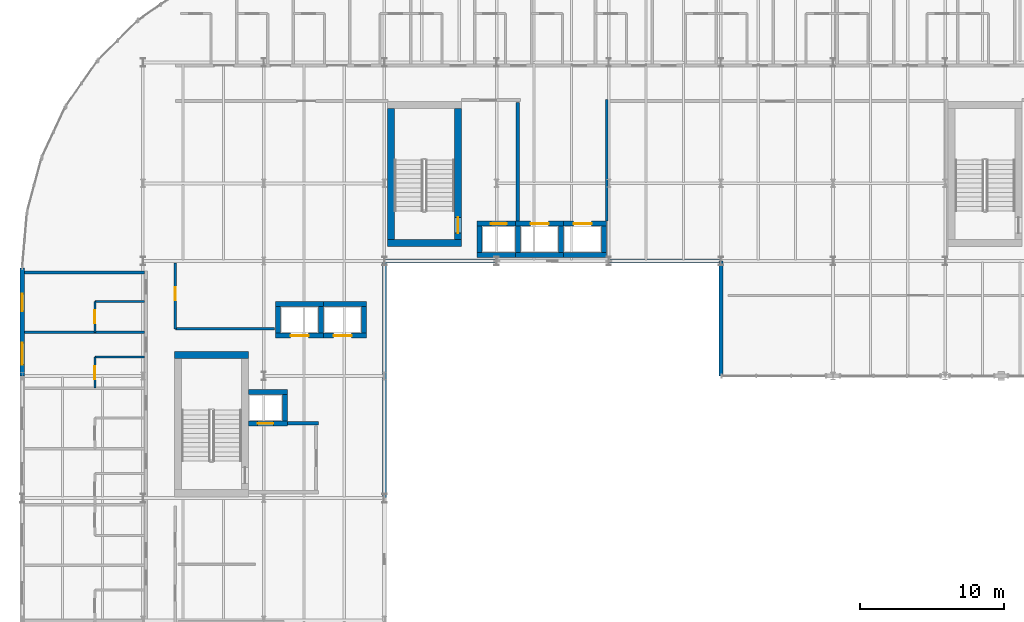
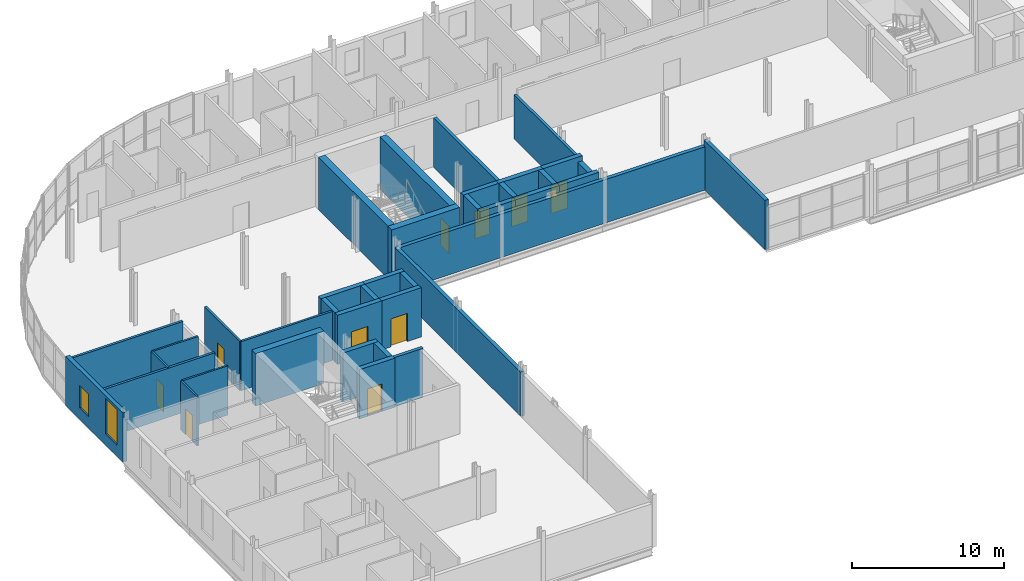
# One storey, part 32 of 45: 39 walls, 10 doors, 2 windows, 12 openings.
"""IFC4 building model written with IfcOpenShell, lengths in metres."""

from ifc_helpers import new_model, si_unit, direction, frame, frame_2d, origin, place, context, subcontext, project, spatial, rectangle, extrude, material, layer, layer_set, type_object, element, fill, save


model = new_model("IFC4")

# Units and contexts
model_context = context("Model", 3, precision=1e-05, world=origin(), true_north=direction((0.0, 1.0)))
body_context = subcontext(model_context, "Body", "Model", "MODEL_VIEW")
ifc_project = project(units=[si_unit("LENGTHUNIT", "METRE"), si_unit("AREAUNIT", "SQUARE_METRE"), si_unit("VOLUMEUNIT", "CUBIC_METRE"), si_unit("PLANEANGLEUNIT", "RADIAN"), si_unit("MASSUNIT", "GRAM", prefix="KILO")], contexts=[model_context])

# Site, building, storey
site_placement = place(None, origin())
site = spatial("IfcSite", under=ifc_project, at=site_placement, CompositionType="ELEMENT")
building_placement = place(site_placement, origin())
building = spatial("IfcBuilding", under=site, at=building_placement, Name="Sefraquen Railside Congress Hotel", CompositionType="ELEMENT")
storey_placement = place(building_placement, frame((0.0, 0.0, 20.39990234375)))
storey = spatial("IfcBuildingStorey", under=building, at=storey_placement, Name="L04", CompositionType="ELEMENT", Elevation=20.39990234375)

# Wall
ifc_material_1 = material(Name="Concrete C50/60", Category="concrete")
ifc_layer_1 = layer(ifc_material_1, 0.35009765625)
ifc_layer_set_1 = layer_set([ifc_layer_1], Name="Concrete C50/60")
wall_type_1 = type_object("IfcWallType", Name="TW-CW-350", PredefinedType="SHEAR", material=ifc_layer_set_1)
wall_1_placement = place(storey_placement, frame((15.760009765625, 86.89501953125, 0.0), z_axis=(0.0, 0.0, 1.0), x_axis=(1.0, 0.0, 0.0)))
element("IfcWall", 1, at=wall_1_placement, inside=storey, type_object=wall_type_1, Name="Lift FL-01 shaft wall N L04", PredefinedType="SHEAR", context=body_context, shape_type="SweptSolid", body=[
    extrude(rectangle(XDim=2.68994140625, YDim=0.35009765625, at=frame_2d((1.344970703125, 0.0))), origin(), (0.0, 0.0, 1.0), 3.940185546875),
])

# Wall, opening, door
wall_2_placement = place(storey_placement, frame((15.760009765625, 84.705078125, 0.0), z_axis=(0.0, 0.0, 1.0), x_axis=(1.0, 0.0, 0.0)))
wall_2 = element("IfcWall", 2, at=wall_2_placement, inside=storey, type_object=wall_type_1, Name="Lift FL-01 shaft wall S L04", PredefinedType="SHEAR", context=body_context, shape_type="SweptSolid", body=[
    extrude(rectangle(XDim=2.68994140625, YDim=0.35009765625, at=frame_2d((1.344970703125, 0.0))), origin(), (0.0, 0.0, 1.0), 3.940185546875),
])
opening_1_placement = place(wall_2_placement, frame((0.6201171875, 0.0, 0.0)))
opening_1 = element("IfcOpeningElement", 3, at=opening_1_placement, cuts=wall_2, Name="Opening LD-01", PredefinedType="OPENING", context=body_context, shape_type="SweptSolid", body=[
    extrude(rectangle(XDim=1.10009765625, YDim=2.199951171875, at=frame_2d((0.550048828125, 1.10009765625))), frame((0.0, 0.18505859375, 0.0), z_axis=(0.0, -1.0, 0.0), x_axis=(1.0, 0.0, 0.0)), (0.0, 0.0, 1.0), 0.3701171875),
])
ifc_material_2 = material(Name="Brushed bronze stainless steel", Category="steel")
door_type_1 = type_object("IfcDoorType", Name="TD-LD-01", OperationType="NOTDEFINED", PredefinedType="DOOR", material=ifc_material_2)
door_1_placement = place(opening_1_placement, origin())
door_1 = element("IfcDoor", 4, at=door_1_placement, inside=storey, type_object=door_type_1, Name="Lift landing door FL-01 L04", OperationType="SLIDING_TO_LEFT", OverallHeight=2.199951171875, OverallWidth=1.10009765625, PredefinedType="DOOR", context=body_context, shape_type="SweptSolid", body=[
    extrude(rectangle(XDim=1.10009765625, YDim=2.199951171875, at=frame_2d((0.550048828125, 1.10009765625))), frame((0.0, 0.02490234375, 0.0), z_axis=(0.0, -1.0, 0.0), x_axis=(1.0, 0.0, 0.0)), (0.0, 0.0, 1.0), 0.050048828125),
])
fill(opening_1, door_1)

# Wall
wall_3_placement = place(storey_placement, frame((18.27490234375, 84.8798828125, 0.0), z_axis=(0.0, 0.0, 1.0), x_axis=(0.0, 1.0, 0.0)))
element("IfcWall", 5, at=wall_3_placement, inside=storey, type_object=wall_type_1, Name="Lift FL-01 shaft wall E L04", PredefinedType="SHEAR", context=body_context, shape_type="SweptSolid", body=[
    extrude(rectangle(XDim=1.840087890625, YDim=0.35009765625, at=frame_2d((0.919921875, 0.0))), origin(), (0.0, 0.0, 1.0), 3.940185546875),
])

# Wall, opening, door
wall_4_placement = place(storey_placement, frame((31.639892578125, 98.594970703125, 0.0), z_axis=(0.0, 0.0, 1.0), x_axis=(1.0, 0.0, 0.0)))
wall_4 = element("IfcWall", 6, at=wall_4_placement, inside=storey, type_object=wall_type_1, Name="Lift FL-02 shaft wall N L04", PredefinedType="SHEAR", context=body_context, shape_type="SweptSolid", body=[
    extrude(rectangle(XDim=2.690185546875, YDim=0.35009765625, at=frame_2d((1.34521484375, 0.0))), origin(), (0.0, 0.0, 1.0), 3.940185546875),
])
opening_2_placement = place(wall_4_placement, frame((0.969970703125, 0.0, 0.0)))
opening_2 = element("IfcOpeningElement", 7, at=opening_2_placement, cuts=wall_4, Name="Opening LD-01", PredefinedType="OPENING", context=body_context, shape_type="SweptSolid", body=[
    extrude(rectangle(XDim=1.10009765625, YDim=2.199951171875, at=frame_2d((0.550048828125, 1.10009765625))), frame((0.0, 0.18505859375, 0.0), z_axis=(0.0, -1.0, 0.0), x_axis=(1.0, 0.0, 0.0)), (0.0, 0.0, 1.0), 0.3701171875),
])
door_2_placement = place(opening_2_placement, origin())
door_2 = element("IfcDoor", 8, at=door_2_placement, inside=storey, type_object=door_type_1, Name="Lift landing door FL-02 L04", OperationType="SLIDING_TO_LEFT", OverallHeight=2.199951171875, OverallWidth=1.10009765625, PredefinedType="DOOR", context=body_context, shape_type="SweptSolid", body=[
    extrude(rectangle(XDim=1.10009765625, YDim=2.199951171875, at=frame_2d((0.550048828125, 1.10009765625))), frame((0.0, 0.02490234375, 0.0), z_axis=(0.0, -1.0, 0.0), x_axis=(1.0, 0.0, 0.0)), (0.0, 0.0, 1.0), 0.050048828125),
])
fill(opening_2, door_2)

# Walls
wall_5_placement = place(storey_placement, frame((31.639892578125, 96.405029296875, 0.0), z_axis=(0.0, 0.0, 1.0), x_axis=(1.0, 0.0, 0.0)))
element("IfcWall", 9, at=wall_5_placement, inside=storey, type_object=wall_type_1, Name="Lift FL-02 shaft wall S L04", PredefinedType="SHEAR", context=body_context, shape_type="SweptSolid", body=[
    extrude(rectangle(XDim=2.690185546875, YDim=0.35009765625, at=frame_2d((1.34521484375, 0.0))), origin(), (0.0, 0.0, 1.0), 3.940185546875),
])
wall_6_placement = place(storey_placement, frame((31.81494140625, 96.580078125, 0.0), z_axis=(0.0, 0.0, 1.0), x_axis=(0.0, 1.0, 0.0)))
element("IfcWall", 10, at=wall_6_placement, inside=storey, type_object=wall_type_1, Name="Lift FL-02 shaft wall W L04", PredefinedType="SHEAR", context=body_context, shape_type="SweptSolid", body=[
    extrude(rectangle(XDim=1.83984375, YDim=0.35009765625, at=frame_2d((0.919921875, 0.0))), origin(), (0.0, 0.0, 1.0), 3.940185546875),
])
wall_7_placement = place(storey_placement, frame((17.6298828125, 92.9951171875, 0.0), z_axis=(0.0, 0.0, 1.0), x_axis=(1.0, 0.0, 0.0)))
element("IfcWall", 11, at=wall_7_placement, inside=storey, type_object=wall_type_1, Name="Lift PL-01 shaft wall N L04", PredefinedType="SHEAR", context=body_context, shape_type="SweptSolid", body=[
    extrude(rectangle(XDim=3.340087890625, YDim=0.35009765625, at=frame_2d((1.669921875, 0.0))), origin(), (0.0, 0.0, 1.0), 3.940185546875),
])

# Wall, opening, door
wall_8_placement = place(storey_placement, frame((17.6298828125, 90.804931640625, 0.0), z_axis=(0.0, 0.0, 1.0), x_axis=(1.0, 0.0, 0.0)))
wall_8 = element("IfcWall", 12, at=wall_8_placement, inside=storey, type_object=wall_type_1, Name="Lift PL-01 shaft wall S L04", PredefinedType="SHEAR", context=body_context, shape_type="SweptSolid", body=[
    extrude(rectangle(XDim=3.340087890625, YDim=0.35009765625, at=frame_2d((1.669921875, 0.0))), origin(), (0.0, 0.0, 1.0), 3.940185546875),
])
opening_3_placement = place(wall_8_placement, frame((1.044921875, 0.0, 0.0)))
opening_3 = element("IfcOpeningElement", 13, at=opening_3_placement, cuts=wall_8, Name="Opening LD-02", PredefinedType="OPENING", context=body_context, shape_type="SweptSolid", body=[
    extrude(rectangle(XDim=1.25, YDim=2.25, at=frame_2d((0.625, 1.125))), frame((0.0, 0.18505859375, 0.0), z_axis=(0.0, -1.0, 0.0), x_axis=(1.0, 0.0, 0.0)), (0.0, 0.0, 1.0), 0.3701171875),
])
ifc_material_3 = material(Name="Brushed stainless steel", Category="steel")
door_type_2 = type_object("IfcDoorType", Name="TD-LD-02", OperationType="NOTDEFINED", PredefinedType="DOOR", material=ifc_material_3)
door_3_placement = place(opening_3_placement, origin())
door_3 = element("IfcDoor", 14, at=door_3_placement, inside=storey, type_object=door_type_2, Name="Lift landing door PL-01 L04", OperationType="SLIDING_TO_LEFT", OverallHeight=2.25, OverallWidth=1.25, PredefinedType="DOOR", context=body_context, shape_type="SweptSolid", body=[
    extrude(rectangle(XDim=1.25, YDim=2.25, at=frame_2d((0.625, 1.125))), frame((0.0, 0.02490234375, 0.0), z_axis=(0.0, -1.0, 0.0), x_axis=(1.0, 0.0, 0.0)), (0.0, 0.0, 1.0), 0.050048828125),
])
fill(opening_3, door_3)

# Walls
for number, where, z_axis, x_axis, name in (
    (15, (17.804931640625, 90.97998046875, 0.0), (0.0, 0.0, 1.0), (0.0, 1.0, 0.0), "Lift PL-01 shaft wall W L04"),
    (16, (20.794921875, 90.97998046875, 0.0), (0.0, 0.0, 1.0), (0.0, 1.0, 0.0), "Lift PL-01 shaft wall E L04"),
):
    element("IfcWall", number, at=place(storey_placement, frame(where, z_axis=z_axis, x_axis=x_axis)), inside=storey, type_object=wall_type_1, Name=name, PredefinedType="SHEAR", context=body_context, shape_type="SweptSolid", body=[
        extrude(rectangle(XDim=1.840087890625, YDim=0.35009765625, at=frame_2d((0.919921875, 0.0))), origin(), (0.0, 0.0, 1.0), 3.940185546875),
    ])
wall_9_placement = place(storey_placement, frame((20.969970703125, 92.9951171875, 0.0), z_axis=(0.0, 0.0, 1.0), x_axis=(1.0, 0.0, 0.0)))
element("IfcWall", 17, at=wall_9_placement, inside=storey, type_object=wall_type_1, Name="Lift PL-02 shaft wall N L04", PredefinedType="SHEAR", context=body_context, shape_type="SweptSolid", body=[
    extrude(rectangle(XDim=2.989990234375, YDim=0.35009765625, at=frame_2d((1.4951171875, 0.0))), origin(), (0.0, 0.0, 1.0), 3.940185546875),
])

# Wall, opening, door
wall_10_placement = place(storey_placement, frame((20.969970703125, 90.804931640625, 0.0), z_axis=(0.0, 0.0, 1.0), x_axis=(1.0, 0.0, 0.0)))
wall_10 = element("IfcWall", 18, at=wall_10_placement, inside=storey, type_object=wall_type_1, Name="Lift PL-02 shaft wall S L04", PredefinedType="SHEAR", context=body_context, shape_type="SweptSolid", body=[
    extrude(rectangle(XDim=2.989990234375, YDim=0.35009765625, at=frame_2d((1.4951171875, 0.0))), origin(), (0.0, 0.0, 1.0), 3.940185546875),
])
opening_4_placement = place(wall_10_placement, frame((0.695068359375, 0.0, 0.0)))
opening_4 = element("IfcOpeningElement", 19, at=opening_4_placement, cuts=wall_10, Name="Opening LD-02", PredefinedType="OPENING", context=body_context, shape_type="SweptSolid", body=[
    extrude(rectangle(XDim=1.25, YDim=2.25, at=frame_2d((0.625, 1.125))), frame((0.0, 0.18505859375, 0.0), z_axis=(0.0, -1.0, 0.0), x_axis=(1.0, 0.0, 0.0)), (0.0, 0.0, 1.0), 0.3701171875),
])
door_4_placement = place(opening_4_placement, origin())
door_4 = element("IfcDoor", 20, at=door_4_placement, inside=storey, type_object=door_type_2, Name="Lift landing door PL-02 L04", OperationType="SLIDING_TO_LEFT", OverallHeight=2.25, OverallWidth=1.25, PredefinedType="DOOR", context=body_context, shape_type="SweptSolid", body=[
    extrude(rectangle(XDim=1.25, YDim=2.25, at=frame_2d((0.625, 1.125))), frame((0.0, 0.02490234375, 0.0), z_axis=(0.0, -1.0, 0.0), x_axis=(1.0, 0.0, 0.0)), (0.0, 0.0, 1.0), 0.050048828125),
])
fill(opening_4, door_4)

# Wall
wall_11_placement = place(storey_placement, frame((23.784912109375, 90.97998046875, 0.0), z_axis=(0.0, 0.0, 1.0), x_axis=(0.0, 1.0, 0.0)))
element("IfcWall", 21, at=wall_11_placement, inside=storey, type_object=wall_type_1, Name="Lift PL-02 shaft wall E L04", PredefinedType="SHEAR", context=body_context, shape_type="SweptSolid", body=[
    extrude(rectangle(XDim=1.840087890625, YDim=0.35009765625, at=frame_2d((0.919921875, 0.0))), origin(), (0.0, 0.0, 1.0), 3.940185546875),
])

# Wall, opening, door
wall_12_placement = place(storey_placement, frame((34.330078125, 98.594970703125, 0.0), z_axis=(0.0, 0.0, 1.0), x_axis=(1.0, 0.0, 0.0)))
wall_12 = element("IfcWall", 22, at=wall_12_placement, inside=storey, type_object=wall_type_1, Name="Lift PL-03 shaft wall N L04", PredefinedType="SHEAR", context=body_context, shape_type="SweptSolid", body=[
    extrude(rectangle(XDim=3.33984375, YDim=0.35009765625, at=frame_2d((1.669921875, 0.0))), origin(), (0.0, 0.0, 1.0), 3.940185546875),
])
opening_5_placement = place(wall_12_placement, frame((1.044921875, 0.0, 0.0)))
opening_5 = element("IfcOpeningElement", 23, at=opening_5_placement, cuts=wall_12, Name="Opening LD-02", PredefinedType="OPENING", context=body_context, shape_type="SweptSolid", body=[
    extrude(rectangle(XDim=1.25, YDim=2.25, at=frame_2d((0.625, 1.125))), frame((0.0, 0.18505859375, 0.0), z_axis=(0.0, -1.0, 0.0), x_axis=(1.0, 0.0, 0.0)), (0.0, 0.0, 1.0), 0.3701171875),
])
door_5_placement = place(opening_5_placement, origin())
door_5 = element("IfcDoor", 24, at=door_5_placement, inside=storey, type_object=door_type_2, Name="Lift landing door PL-03 L04", OperationType="SLIDING_TO_LEFT", OverallHeight=2.25, OverallWidth=1.25, PredefinedType="DOOR", context=body_context, shape_type="SweptSolid", body=[
    extrude(rectangle(XDim=1.25, YDim=2.25, at=frame_2d((0.625, 1.125))), frame((0.0, 0.02490234375, 0.0), z_axis=(0.0, -1.0, 0.0), x_axis=(1.0, 0.0, 0.0)), (0.0, 0.0, 1.0), 0.050048828125),
])
fill(opening_5, door_5)

# Walls
wall_13_placement = place(storey_placement, frame((34.330078125, 96.405029296875, 0.0), z_axis=(0.0, 0.0, 1.0), x_axis=(1.0, 0.0, 0.0)))
element("IfcWall", 25, at=wall_13_placement, inside=storey, type_object=wall_type_1, Name="Lift PL-03 shaft wall S L04", PredefinedType="SHEAR", context=body_context, shape_type="SweptSolid", body=[
    extrude(rectangle(XDim=3.33984375, YDim=0.35009765625, at=frame_2d((1.669921875, 0.0))), origin(), (0.0, 0.0, 1.0), 3.940185546875),
])
for number, where, z_axis, x_axis, name in (
    (26, (34.5048828125, 96.580078125, 0.0), (0.0, 0.0, 1.0), (0.0, 1.0, 0.0), "Lift PL-03 shaft wall W L04"),
    (27, (37.4951171875, 96.580078125, 0.0), (0.0, 0.0, 1.0), (0.0, 1.0, 0.0), "Lift PL-03 shaft wall E L04"),
):
    element("IfcWall", number, at=place(storey_placement, frame(where, z_axis=z_axis, x_axis=x_axis)), inside=storey, type_object=wall_type_1, Name=name, PredefinedType="SHEAR", context=body_context, shape_type="SweptSolid", body=[
        extrude(rectangle(XDim=1.83984375, YDim=0.35009765625, at=frame_2d((0.919921875, 0.0))), origin(), (0.0, 0.0, 1.0), 3.940185546875),
    ])

# Wall, opening, door
wall_14_placement = place(storey_placement, frame((37.669921875, 98.594970703125, 0.0), z_axis=(0.0, 0.0, 1.0), x_axis=(1.0, 0.0, 0.0)))
wall_14 = element("IfcWall", 28, at=wall_14_placement, inside=storey, type_object=wall_type_1, Name="Lift PL-04 shaft wall N L04", PredefinedType="SHEAR", context=body_context, shape_type="SweptSolid", body=[
    extrude(rectangle(XDim=2.989990234375, YDim=0.35009765625, at=frame_2d((1.4951171875, 0.0))), origin(), (0.0, 0.0, 1.0), 3.940185546875),
])
opening_6_placement = place(wall_14_placement, frame((0.695068359375, 0.0, 0.0)))
opening_6 = element("IfcOpeningElement", 29, at=opening_6_placement, cuts=wall_14, Name="Opening LD-02", PredefinedType="OPENING", context=body_context, shape_type="SweptSolid", body=[
    extrude(rectangle(XDim=1.25, YDim=2.25, at=frame_2d((0.625, 1.125))), frame((0.0, 0.18505859375, 0.0), z_axis=(0.0, -1.0, 0.0), x_axis=(1.0, 0.0, 0.0)), (0.0, 0.0, 1.0), 0.3701171875),
])
door_6_placement = place(opening_6_placement, origin())
door_6 = element("IfcDoor", 30, at=door_6_placement, inside=storey, type_object=door_type_2, Name="Lift landing door PL-04 L04", OperationType="SLIDING_TO_LEFT", OverallHeight=2.25, OverallWidth=1.25, PredefinedType="DOOR", context=body_context, shape_type="SweptSolid", body=[
    extrude(rectangle(XDim=1.25, YDim=2.25, at=frame_2d((0.625, 1.125))), frame((0.0, 0.02490234375, 0.0), z_axis=(0.0, -1.0, 0.0), x_axis=(1.0, 0.0, 0.0)), (0.0, 0.0, 1.0), 0.050048828125),
])
fill(opening_6, door_6)

# Walls
wall_15_placement = place(storey_placement, frame((37.669921875, 96.405029296875, 0.0), z_axis=(0.0, 0.0, 1.0), x_axis=(1.0, 0.0, 0.0)))
element("IfcWall", 31, at=wall_15_placement, inside=storey, type_object=wall_type_1, Name="Lift PL-04 shaft wall S L04", PredefinedType="SHEAR", context=body_context, shape_type="SweptSolid", body=[
    extrude(rectangle(XDim=2.989990234375, YDim=0.35009765625, at=frame_2d((1.4951171875, 0.0))), origin(), (0.0, 0.0, 1.0), 3.940185546875),
])
wall_16_placement = place(storey_placement, frame((40.485107421875, 96.580078125, 0.0), z_axis=(0.0, 0.0, 1.0), x_axis=(0.0, 1.0, 0.0)))
element("IfcWall", 32, at=wall_16_placement, inside=storey, type_object=wall_type_1, Name="Lift PL-04 shaft wall E L04", PredefinedType="SHEAR", context=body_context, shape_type="SweptSolid", body=[
    extrude(rectangle(XDim=1.83984375, YDim=0.35009765625, at=frame_2d((0.919921875, 0.0))), origin(), (0.0, 0.0, 1.0), 3.530029296875),
])
ifc_layer_2 = layer(ifc_material_1, 0.5)
ifc_layer_set_2 = layer_set([ifc_layer_2], Name="Concrete C50/60")
wall_type_2 = type_object("IfcWallType", Name="TW-CW-500", PredefinedType="SHEAR", material=ifc_layer_set_2)
wall_17_placement = place(storey_placement, frame((10.60009765625, 89.4619140625, 0.0), z_axis=(0.0, 0.0, 1.0), x_axis=(1.0, 0.0, 0.0)))
element("IfcWall", 33, at=wall_17_placement, inside=storey, type_object=wall_type_2, Name="Core shear wall ST-H01 N L04", PredefinedType="SHEAR", context=body_context, shape_type="SweptSolid", body=[
    extrude(rectangle(XDim=5.159912109375, YDim=0.5, at=frame_2d((2.580078125, 0.0))), origin(), (0.0, 0.0, 1.0), 4.2001953125),
])
wall_18_placement = place(storey_placement, frame((25.39990234375, 97.25, 0.0), z_axis=(0.0, 0.0, 1.0), x_axis=(1.0, 0.0, 0.0)))
element("IfcWall", 34, at=wall_18_placement, inside=storey, type_object=wall_type_2, Name="Core shear wall ST-H02 S L04", PredefinedType="SHEAR", context=body_context, shape_type="SweptSolid", body=[
    extrude(rectangle(XDim=5.16015625, YDim=0.5, at=frame_2d((2.580078125, 0.0))), origin(), (0.0, 0.0, 1.0), 4.2001953125),
])
wall_19_placement = place(storey_placement, frame((25.64990234375, 97.5, 0.0), z_axis=(0.0, 0.0, 1.0), x_axis=(0.0, 1.0, 0.0)))
element("IfcWall", 35, at=wall_19_placement, inside=storey, type_object=wall_type_2, Name="Core shear wall ST-H02 W L04", PredefinedType="SHEAR", context=body_context, shape_type="SweptSolid", body=[
    extrude(rectangle(XDim=9.112060546875, YDim=0.5, at=frame_2d((4.55615234375, 0.0))), origin(), (0.0, 0.0, 1.0), 4.2001953125),
])

# Wall, opening, door
wall_20_placement = place(storey_placement, frame((30.31005859375, 97.5, 0.0), z_axis=(0.0, 0.0, 1.0), x_axis=(0.0, 1.0, 0.0)))
wall_20 = element("IfcWall", 36, at=wall_20_placement, inside=storey, type_object=wall_type_2, Name="Core shear wall ST-H02 E L04", PredefinedType="SHEAR", context=body_context, shape_type="SweptSolid", body=[
    extrude(rectangle(XDim=9.112060546875, YDim=0.5, at=frame_2d((4.55615234375, 0.0))), origin(), (0.0, 0.0, 1.0), 4.2001953125),
])
opening_7_placement = place(wall_20_placement, frame((0.43994140625, 0.0, 0.0)))
opening_7 = element("IfcOpeningElement", 37, at=opening_7_placement, cuts=wall_20, Name="Opening FD-04", PredefinedType="OPENING", context=body_context, shape_type="SweptSolid", body=[
    extrude(rectangle(XDim=1.10009765625, YDim=2.199951171875, at=frame_2d((0.550048828125, 1.10009765625))), frame((0.0, 0.260009765625, 0.0), z_axis=(0.0, -1.0, 0.0), x_axis=(1.0, 0.0, 0.0)), (0.0, 0.0, 1.0), 0.52001953125),
])
ifc_material_4 = material(Name="Fire-rated steel", Category="steel")
door_type_3 = type_object("IfcDoorType", Name="TD-FD-04", OperationType="NOTDEFINED", PredefinedType="DOOR", material=ifc_material_4)
door_7_placement = place(opening_7_placement, origin())
door_7 = element("IfcDoor", 38, at=door_7_placement, inside=storey, type_object=door_type_3, Name="Pressurized stair ST-H02 fire door L04", OperationType="SINGLE_SWING_RIGHT", OverallHeight=2.199951171875, OverallWidth=1.10009765625, PredefinedType="DOOR", context=body_context, shape_type="SweptSolid", body=[
    extrude(rectangle(XDim=1.10009765625, YDim=2.199951171875, at=frame_2d((0.550048828125, 1.10009765625))), frame((0.0, 0.02490234375, 0.0), z_axis=(0.0, -1.0, 0.0), x_axis=(1.0, 0.0, 0.0)), (0.0, 0.0, 1.0), 0.050048828125),
])
fill(opening_7, door_7)

# Walls
ifc_material_5 = material(Name="Ochre Rabat calcarenite limestone and Concrete C40/50 backing", Category="masonry")
ifc_layer_3 = layer(ifc_material_5, 0.280029296875)
ifc_layer_set_3 = layer_set([ifc_layer_3], Name="Ochre Rabat calcarenite limestone and Concrete C40/50 backing")
wall_type_3 = type_object("IfcWallType", Name="TW-EW-280", PredefinedType="STANDARD", material=ifc_layer_set_3)
wall_21_placement = place(storey_placement, frame((48.60009765625, 88.0, 0.0), z_axis=(0.0, 0.0, 1.0), x_axis=(0.0, 1.0, 0.0)))
element("IfcWall", 39, at=wall_21_placement, inside=storey, type_object=wall_type_3, Name="Meeting Wing L04 west terrace-side facade wall", PredefinedType="STANDARD", context=body_context, shape_type="SweptSolid", body=[
    extrude(rectangle(XDim=8.0, YDim=0.280029296875, at=frame_2d((4.0, 0.0))), origin(), (0.0, 0.0, 1.0), 3.940185546875),
])
wall_22_placement = place(storey_placement, frame((25.199951171875, 96.0, 0.0), z_axis=(0.0, 0.0, 1.0), x_axis=(1.0, 0.0, 0.0)))
element("IfcWall", 40, at=wall_22_placement, inside=storey, type_object=wall_type_3, Name="Hotel L04 south west-foyer setback wall", PredefinedType="STANDARD", context=body_context, shape_type="SweptSolid", body=[
    extrude(rectangle(XDim=23.400146484375, YDim=0.280029296875, at=frame_2d((11.7001953125, 0.0))), origin(), (0.0, 0.0, 1.0), 3.47998046875),
])
wall_23_placement = place(storey_placement, frame((25.199951171875, 79.5, 0.0), z_axis=(0.0, 0.0, 1.0), x_axis=(0.0, 1.0, 0.0)))
element("IfcWall", 41, at=wall_23_placement, inside=storey, type_object=wall_type_3, Name="Hotel L04 courtyard return wall", PredefinedType="STANDARD", context=body_context, shape_type="SweptSolid", body=[
    extrude(rectangle(XDim=16.5, YDim=0.280029296875, at=frame_2d((8.25, 0.0))), origin(), (0.0, 0.0, 1.0), 3.530029296875),
])

# Wall, openings, windows
ifc_layer_4 = layer(ifc_material_5, 0.300048828125)
ifc_layer_set_4 = layer_set([ifc_layer_4], Name="Ochre Rabat calcarenite limestone and Concrete C40/50 backing")
wall_type_4 = type_object("IfcWallType", Name="TW-EW-300", PredefinedType="STANDARD", material=ifc_layer_set_4)
wall_24_placement = place(storey_placement, frame((0.0, 88.0, 0.0), z_axis=(0.0, 0.0, 1.0), x_axis=(0.0, 1.0, 0.0)))
wall_24 = element("IfcWall", 42, at=wall_24_placement, inside=storey, type_object=wall_type_4, Name="Hotel L04 West Forecourt facade wall", PredefinedType="STANDARD", context=body_context, shape_type="SweptSolid", body=[
    extrude(rectangle(XDim=7.5, YDim=0.300048828125, at=frame_2d((3.75, 0.0))), origin(), (0.0, 0.0, 1.0), 3.940185546875),
])
opening_8_placement = place(wall_24_placement, frame((0.800048828125, 0.0, 0.89990234375)))
opening_8 = element("IfcOpeningElement", 43, at=opening_8_placement, cuts=wall_24, Name="Opening WN-30", PredefinedType="OPENING", context=body_context, shape_type="SweptSolid", body=[
    extrude(rectangle(XDim=1.5, YDim=2.860107421875, at=frame_2d((0.75, 1.43017578125))), frame((0.0, 0.159912109375, 0.0), z_axis=(0.0, -1.0, 0.0), x_axis=(1.0, 0.0, 0.0)), (0.0, 0.0, 1.0), 0.320068359375),
])
opening_9_placement = place(wall_24_placement, frame((4.51904296875, 0.0, 0.89990234375)))
opening_9 = element("IfcOpeningElement", 44, at=opening_9_placement, cuts=wall_24, Name="Opening WN-01", PredefinedType="OPENING", context=body_context, shape_type="SweptSolid", body=[
    extrude(rectangle(XDim=1.199951171875, YDim=1.800048828125, at=frame_2d((0.60009765625, 0.89990234375))), frame((0.0, 0.159912109375, 0.0), z_axis=(0.0, -1.0, 0.0), x_axis=(1.0, 0.0, 0.0)), (0.0, 0.0, 1.0), 0.320068359375),
])
ifc_material_6 = material(Name="Solar-control low-E double glazing in bronze-anodised frame", Category="glass")
window_type_1 = type_object("IfcWindowType", Name="TWN-W-01", PartitioningType="DOUBLE_PANEL_VERTICAL", PredefinedType="WINDOW", material=ifc_material_6)
window_1_placement = place(opening_9_placement, origin())
window_1 = element("IfcWindow", 45, at=window_1_placement, inside=storey, type_object=window_type_1, Name="Guest room west window SP-L04-RM-031", OverallHeight=1.800048828125, OverallWidth=1.199951171875, PartitioningType="DOUBLE_PANEL_VERTICAL", PredefinedType="WINDOW", context=body_context, shape_type="SweptSolid", body=[
    extrude(rectangle(XDim=1.199951171875, YDim=1.800048828125, at=frame_2d((0.60009765625, 0.89990234375))), frame((0.0, 0.030029296875, 0.0), z_axis=(0.0, -1.0, 0.0), x_axis=(1.0, 0.0, 0.0)), (0.0, 0.0, 1.0), 0.06005859375),
])
fill(opening_9, window_1)
window_type_2 = type_object("IfcWindowType", Name="TWN-W-30", PartitioningType="DOUBLE_PANEL_VERTICAL", PredefinedType="WINDOW", material=ifc_material_6)
window_2_placement = place(opening_8_placement, origin())
window_2 = element("IfcWindow", 46, at=window_2_placement, inside=storey, type_object=window_type_2, Name="Guest room west window SP-L04-RM-030", OverallHeight=2.860107421875, OverallWidth=1.5, PartitioningType="DOUBLE_PANEL_VERTICAL", PredefinedType="WINDOW", context=body_context, shape_type="SweptSolid", body=[
    extrude(rectangle(XDim=1.5, YDim=2.860107421875, at=frame_2d((0.75, 1.43017578125))), frame((0.0, 0.030029296875, 0.0), z_axis=(0.0, -1.0, 0.0), x_axis=(1.0, 0.0, 0.0)), (0.0, 0.0, 1.0), 0.06005859375),
])
fill(opening_8, window_2)

# Walls
ifc_material_7 = material(Name="Concrete C40/50", Category="concrete")
ifc_layer_5 = layer(ifc_material_7, 0.239990234375)
ifc_layer_set_5 = layer_set([ifc_layer_5], Name="Concrete C40/50")
wall_type_5 = type_object("IfcWallType", Name="TW-FW-240", PredefinedType="STANDARD", material=ifc_layer_set_5)
wall_25_placement = place(storey_placement, frame((18.449951171875, 84.705078125, 0.0), z_axis=(0.0, 0.0, 1.0), x_axis=(1.0, 0.0, 0.0)))
element("IfcWall", 47, at=wall_25_placement, inside=storey, type_object=wall_type_5, Name="Firefighting Lift Lobby FFL-01 N fire wall L04", PredefinedType="STANDARD", context=body_context, shape_type="SweptSolid", body=[
    extrude(rectangle(XDim=2.170166015625, YDim=0.239990234375, at=frame_2d((1.0849609375, 0.0))), origin(), (0.0, 0.0, 1.0), 3.940185546875),
])
wall_26_placement = place(storey_placement, frame((34.47998046875, 98.780029296875, 0.0), z_axis=(0.0, 0.0, 1.0), x_axis=(0.0, 1.0, 0.0)))
element("IfcWall", 48, at=wall_26_placement, inside=storey, type_object=wall_type_5, Name="Firefighting Lift Lobby FFL-02 east fire wall L04", PredefinedType="STANDARD", context=body_context, shape_type="SweptSolid", body=[
    extrude(rectangle(XDim=8.239990234375, YDim=0.239990234375, at=frame_2d((4.1201171875, 0.0))), origin(), (0.0, 0.0, 1.0), 3.940185546875),
])
ifc_material_8 = material(Name="Moisture-resistant gypsum board", Category="gypsum")
ifc_layer_6 = layer(ifc_material_8, 0.139892578125)
ifc_layer_set_6 = layer_set([ifc_layer_6], Name="Moisture-resistant gypsum board")
wall_type_6 = type_object("IfcWallType", Name="TW-PW-140", PredefinedType="PARTITIONING", material=ifc_layer_set_6)
wall_27_placement = place(storey_placement, frame((5.050048828125, 89.305908203125, 0.0), z_axis=(0.0, 0.0, 1.0), x_axis=(1.0, 0.0, 0.0)))
element("IfcWall", 49, at=wall_27_placement, inside=storey, type_object=wall_type_6, Name="West en-suite bathroom north wall RM-030", PredefinedType="PARTITIONING", context=body_context, shape_type="SweptSolid", body=[
    extrude(rectangle(XDim=3.469970703125, YDim=0.139892578125, at=frame_2d((1.73486328125, 0.0))), origin(), (0.0, 0.0, 1.0), 3.940185546875),
])

# Wall, opening, door
wall_28_placement = place(storey_placement, frame((5.050048828125, 87.156005859375, 0.0), z_axis=(0.0, 0.0, 1.0), x_axis=(0.0, 1.0, 0.0)))
wall_28 = element("IfcWall", 50, at=wall_28_placement, inside=storey, type_object=wall_type_6, Name="West en-suite bathroom west wall RM-030", PredefinedType="PARTITIONING", context=body_context, shape_type="SweptSolid", body=[
    extrude(rectangle(XDim=2.14990234375, YDim=0.139892578125, at=frame_2d((1.074951171875, 0.0))), origin(), (0.0, 0.0, 1.0), 3.940185546875),
])
opening_10_placement = place(wall_28_placement, frame((0.625, 0.0, 0.0)))
opening_10 = element("IfcOpeningElement", 51, at=opening_10_placement, cuts=wall_28, Name="Opening ID-02", PredefinedType="OPENING", context=body_context, shape_type="SweptSolid", body=[
    extrude(rectangle(XDim=0.89990234375, YDim=2.10009765625, at=frame_2d((0.449951171875, 1.050048828125))), frame((0.0, 0.079833984375, 0.0), z_axis=(0.0, -1.0, 0.0), x_axis=(1.0, 0.0, 0.0)), (0.0, 0.0, 1.0), 0.159912109375),
])
ifc_material_9 = material(Name="Lacquered cedar joinery", Category="wood")
door_type_4 = type_object("IfcDoorType", Name="TD-ID-02", OperationType="NOTDEFINED", PredefinedType="DOOR", material=ifc_material_9)
door_8_placement = place(opening_10_placement, frame((0.89990234375, 0.0, 0.0), z_axis=(0.0, 0.0, 1.0), x_axis=(-1.0, 0.0, 0.0)))
door_8 = element("IfcDoor", 52, at=door_8_placement, inside=storey, type_object=door_type_4, Name="En-suite bathroom door RM-030", OperationType="SINGLE_SWING_RIGHT", OverallHeight=2.10009765625, OverallWidth=0.89990234375, PredefinedType="DOOR", context=body_context, shape_type="SweptSolid", body=[
    extrude(rectangle(XDim=0.89990234375, YDim=2.10009765625, at=frame_2d((0.449951171875, 1.050048828125))), frame((0.0, 0.02490234375, 0.0), z_axis=(0.0, -1.0, 0.0), x_axis=(1.0, 0.0, 0.0)), (0.0, 0.0, 1.0), 0.050048828125),
])
fill(opening_10, door_8)

# Wall
wall_29_placement = place(storey_placement, frame((5.050048828125, 93.18798828125, 0.0), z_axis=(0.0, 0.0, 1.0), x_axis=(1.0, 0.0, 0.0)))
element("IfcWall", 53, at=wall_29_placement, inside=storey, type_object=wall_type_6, Name="West en-suite bathroom north wall RM-031", PredefinedType="PARTITIONING", context=body_context, shape_type="SweptSolid", body=[
    extrude(rectangle(XDim=3.469970703125, YDim=0.139892578125, at=frame_2d((1.73486328125, 0.0))), origin(), (0.0, 0.0, 1.0), 3.940185546875),
])

# Wall, opening, door
wall_30_placement = place(storey_placement, frame((5.050048828125, 91.0380859375, 0.0), z_axis=(0.0, 0.0, 1.0), x_axis=(0.0, 1.0, 0.0)))
wall_30 = element("IfcWall", 54, at=wall_30_placement, inside=storey, type_object=wall_type_6, Name="West en-suite bathroom west wall RM-031", PredefinedType="PARTITIONING", context=body_context, shape_type="SweptSolid", body=[
    extrude(rectangle(XDim=2.14990234375, YDim=0.139892578125, at=frame_2d((1.074951171875, 0.0))), origin(), (0.0, 0.0, 1.0), 3.940185546875),
])
opening_11_placement = place(wall_30_placement, frame((0.625, 0.0, 0.0)))
opening_11 = element("IfcOpeningElement", 55, at=opening_11_placement, cuts=wall_30, Name="Opening ID-02", PredefinedType="OPENING", context=body_context, shape_type="SweptSolid", body=[
    extrude(rectangle(XDim=0.89990234375, YDim=2.10009765625, at=frame_2d((0.449951171875, 1.050048828125))), frame((0.0, 0.079833984375, 0.0), z_axis=(0.0, -1.0, 0.0), x_axis=(1.0, 0.0, 0.0)), (0.0, 0.0, 1.0), 0.159912109375),
])
door_9_placement = place(opening_11_placement, frame((0.89990234375, 0.0, 0.0), z_axis=(0.0, 0.0, 1.0), x_axis=(-1.0, 0.0, 0.0)))
door_9 = element("IfcDoor", 56, at=door_9_placement, inside=storey, type_object=door_type_4, Name="En-suite bathroom door RM-031", OperationType="SINGLE_SWING_RIGHT", OverallHeight=2.10009765625, OverallWidth=0.89990234375, PredefinedType="DOOR", context=body_context, shape_type="SweptSolid", body=[
    extrude(rectangle(XDim=0.89990234375, YDim=2.10009765625, at=frame_2d((0.449951171875, 1.050048828125))), frame((0.0, 0.02490234375, 0.0), z_axis=(0.0, -1.0, 0.0), x_axis=(1.0, 0.0, 0.0)), (0.0, 0.0, 1.0), 0.050048828125),
])
fill(opening_11, door_9)

ifc_layer_7 = layer(ifc_material_8, 0.159912109375)
ifc_layer_set_7 = layer_set([ifc_layer_7], Name="Moisture-resistant gypsum board")
wall_type_7 = type_object("IfcWallType", Name="TW-PW-160", PredefinedType="PARTITIONING", material=ifc_layer_set_7)
wall_31_placement = place(storey_placement, frame((10.64990234375, 91.280029296875, 0.0), z_axis=(0.0, 0.0, 1.0), x_axis=(0.0, 1.0, 0.0)))
wall_31 = element("IfcWall", 57, at=wall_31_placement, inside=storey, type_object=wall_type_7, Name="Hotel L04 west-return corridor E2 partition", PredefinedType="PARTITIONING", context=body_context, shape_type="SweptSolid", body=[
    extrude(rectangle(XDim=4.580078125, YDim=0.159912109375, at=frame_2d((2.2900390625, 0.0))), origin(), (0.0, 0.0, 1.0), 3.940185546875),
])
opening_12_placement = place(wall_31_placement, frame((2.0, 0.0, 0.0)))
opening_12 = element("IfcOpeningElement", 58, at=opening_12_placement, cuts=wall_31, Name="Opening ID-02", PredefinedType="OPENING", context=body_context, shape_type="SweptSolid", body=[
    extrude(rectangle(XDim=0.89990234375, YDim=2.10009765625, at=frame_2d((0.449951171875, 1.050048828125))), frame((0.0, 0.08984375, 0.0), z_axis=(0.0, -1.0, 0.0), x_axis=(1.0, 0.0, 0.0)), (0.0, 0.0, 1.0), 0.179931640625),
])
door_10_placement = place(opening_12_placement, origin())
door_10 = element("IfcDoor", 59, at=door_10_placement, inside=storey, type_object=door_type_4, Name="Hotel floor Staff WC door L04", OperationType="SINGLE_SWING_LEFT", OverallHeight=2.10009765625, OverallWidth=0.89990234375, PredefinedType="DOOR", context=body_context, shape_type="SweptSolid", body=[
    extrude(rectangle(XDim=0.89990234375, YDim=2.10009765625, at=frame_2d((0.449951171875, 1.050048828125))), frame((0.0, 0.02490234375, 0.0), z_axis=(0.0, -1.0, 0.0), x_axis=(1.0, 0.0, 0.0)), (0.0, 0.0, 1.0), 0.050048828125),
])
fill(opening_12, door_10)

# Walls
wall_32_placement = place(storey_placement, frame((10.64990234375, 91.280029296875, 0.0), z_axis=(0.0, 0.0, 1.0), x_axis=(1.0, 0.0, 0.0)))
element("IfcWall", 60, at=wall_32_placement, inside=storey, type_object=wall_type_7, Name="Hotel L04 staff WC south enclosure partition", PredefinedType="PARTITIONING", context=body_context, shape_type="SweptSolid", body=[
    extrude(rectangle(XDim=6.900146484375, YDim=0.159912109375, at=frame_2d((3.4501953125, 0.0))), origin(), (0.0, 0.0, 1.0), 3.940185546875),
])
ifc_material_10 = material(Name="Acoustic gypsum board on metal stud", Category="gypsum")
ifc_layer_8 = layer(ifc_material_10, 0.179931640625)
ifc_layer_set_8 = layer_set([ifc_layer_8], Name="Acoustic gypsum board on metal stud")
wall_type_8 = type_object("IfcWallType", Name="TW-PW-180", PredefinedType="PARTITIONING", material=ifc_layer_set_8)
for number, where, z_axis, x_axis, name in (
    (61, (0.14990234375, 91.0380859375, 0.0), (0.0, 0.0, 1.0), (1.0, 0.0, 0.0), "West return guest room demising wall RM-030"),
    (62, (0.14990234375, 95.199951171875, 0.0), (0.0, 0.0, 1.0), (1.0, 0.0, 0.0), "West return guest room demising wall RM-031"),
):
    element("IfcWall", number, at=place(storey_placement, frame(where, z_axis=z_axis, x_axis=x_axis)), inside=storey, type_object=wall_type_8, Name=name, PredefinedType="PARTITIONING", context=body_context, shape_type="SweptSolid", body=[
        extrude(rectangle(XDim=8.3701171875, YDim=0.179931640625, at=frame_2d((4.18505859375, 0.0))), origin(), (0.0, 0.0, 1.0), 3.940185546875),
    ])
ifc_layer_9 = layer(ifc_material_10, 0.199951171875)
ifc_layer_set_9 = layer_set([ifc_layer_9], Name="Acoustic gypsum board on metal stud")
wall_type_9 = type_object("IfcWallType", Name="TW-PW-200", PredefinedType="PARTITIONING", material=ifc_layer_set_9)
wall_33_placement = place(storey_placement, frame((40.659912109375, 98.77001953125, 0.0), z_axis=(0.0, 0.0, 1.0), x_axis=(0.0, 1.0, 0.0)))
element("IfcWall", 63, at=wall_33_placement, inside=storey, type_object=wall_type_9, Name="Hotel L04 south-mid west end fire-rated partition", PredefinedType="PARTITIONING", context=body_context, shape_type="SweptSolid", body=[
    extrude(rectangle(XDim=8.449951171875, YDim=0.199951171875, at=frame_2d((4.22509765625, 0.0))), origin(), (0.0, 0.0, 1.0), 3.530029296875),
])

save(model, "model.ifc")
